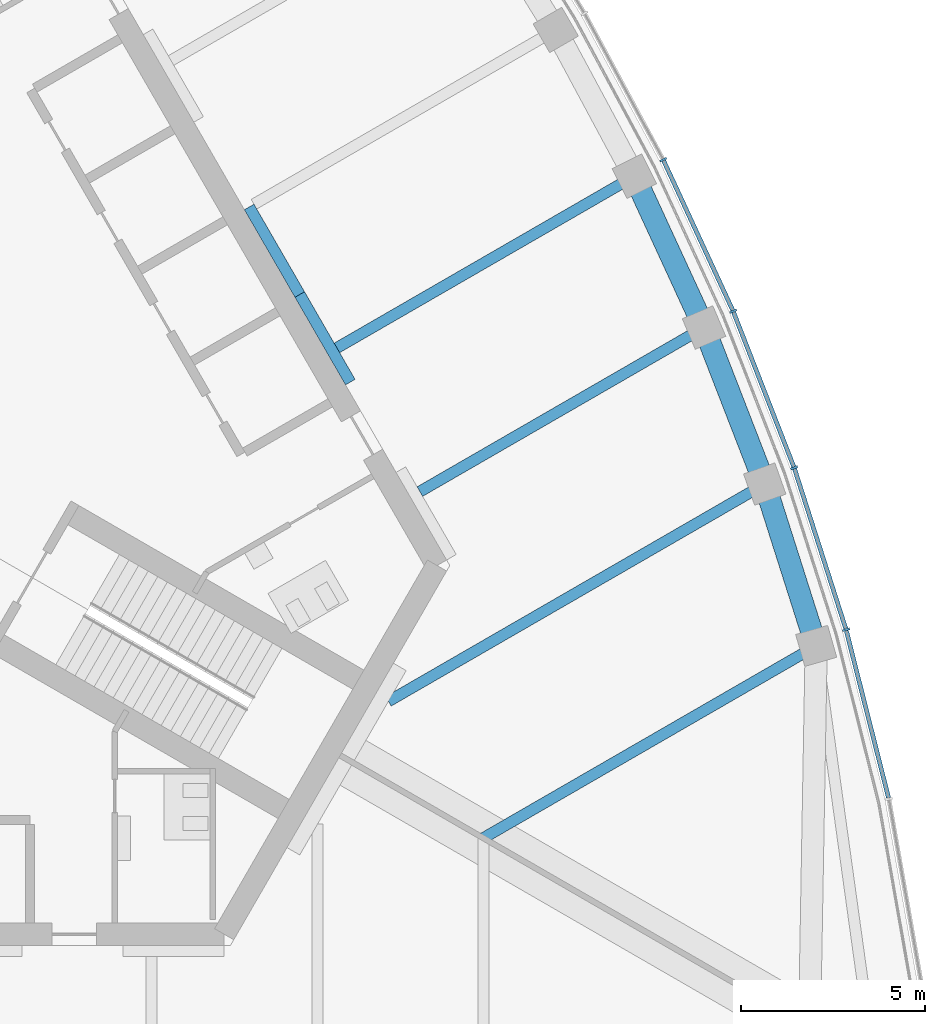
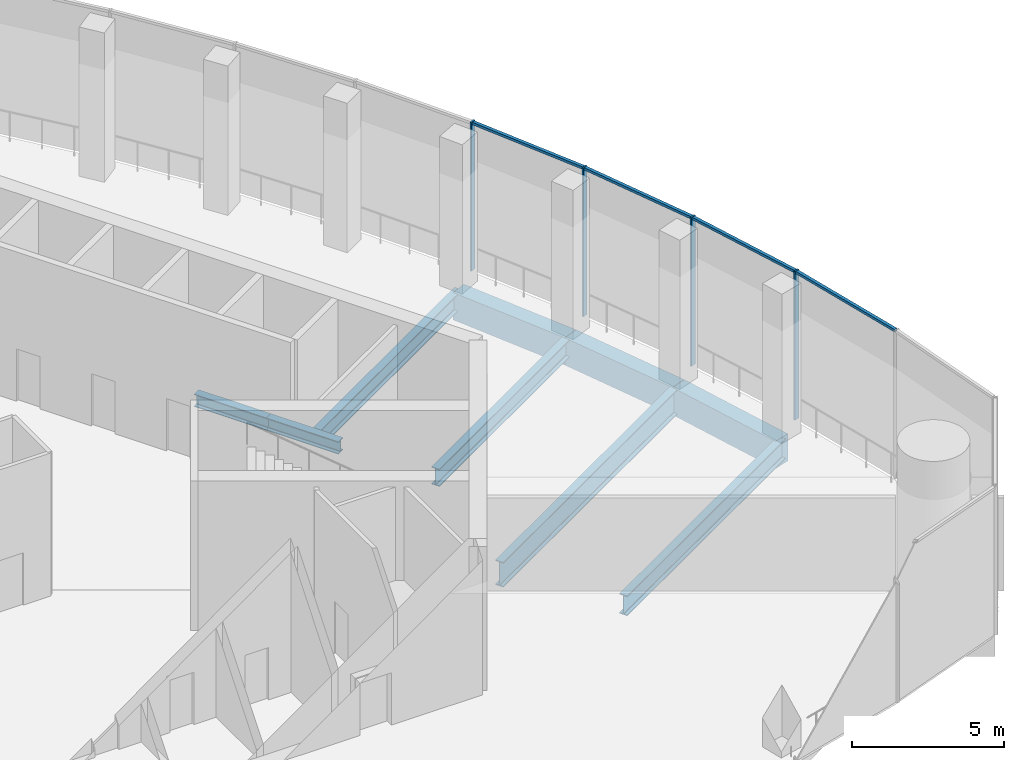
# One storey, part 5 of 15: 9 beams, 8 members, 1 element without a shape of its own.
"""IFC4 building model written with IfcOpenShell, lengths in metres."""

from ifc_helpers import new_model, si_unit, direction, frame, origin, origin_2d, place, context, subcontext, project, spatial, rectangle, i_section, extrude, material, material_profile, profile_set, type_object, element, aggregate, save


model = new_model("IFC4")

# Units and contexts
model_context = context("Model", 3, precision=1e-05, world=origin(), true_north=direction((0.0, 1.0)))
body_context = subcontext(model_context, "Body", "Model", "MODEL_VIEW")
ifc_project = project(units=[si_unit("LENGTHUNIT", "METRE"), si_unit("AREAUNIT", "SQUARE_METRE"), si_unit("VOLUMEUNIT", "CUBIC_METRE"), si_unit("PLANEANGLEUNIT", "RADIAN"), si_unit("MASSUNIT", "GRAM", prefix="KILO")], contexts=[model_context])

# Site, building, storey
site_placement = place(None, origin())
site = spatial("IfcSite", under=ifc_project, at=site_placement, CompositionType="ELEMENT")
building_placement = place(site_placement, origin())
building = spatial("IfcBuilding", under=site, at=building_placement, Name="Trefoil Bronze Tower", CompositionType="ELEMENT")
storey_placement = place(building_placement, frame((0.0, 0.0, 322.5)))
storey = spatial("IfcBuildingStorey", under=building, at=storey_placement, Name="L74", CompositionType="ELEMENT", Elevation=322.5)

# Curtain wall, members
ifc_material_1 = material(Name="Tinted solar-control glass", Category="glass")
curtain_wall_type = type_object("IfcCurtainWallType", Name="Bronze observation curtain wall", PredefinedType="USERDEFINED", material=ifc_material_1)
curtain_wall_placement = place(storey_placement, origin())
curtain_wall = element("IfcCurtainWall", 1, at=curtain_wall_placement, inside=storey, type_object=curtain_wall_type, Name="CW-E L74 F2", ObjectType="CURTAIN WALL", PredefinedType="USERDEFINED")
ifc_material_2 = material(Name="Bronze-finish aluminium", Category="aluminium")
ifc_material_profile_1 = material_profile(ifc_material_2, rectangle(XDim=0.199951171875, YDim=0.06005859375, at=origin_2d()), Name="CW-E mullion")
ifc_profile_set_1 = profile_set([ifc_material_profile_1], Name="Bronze-finish aluminium")
member_type_1 = type_object("IfcMemberType", Name="Bronze observation curtain wall mullion", PredefinedType="MULLION", material=ifc_profile_set_1)
member_1_placement = place(storey_placement, frame((27.837646484375, -4.740478515625, 0.0), z_axis=(0.0, 0.0, 1.0), x_axis=(-0.961395843746, -0.275169096426, 0.0)))
member_1 = element("IfcMember", 2, at=member_1_placement, type_object=member_type_1, Name="CW-E L74 F2 mullion 2", PredefinedType="MULLION", context=body_context, shape_type="SweptSolid", body=[
    extrude(rectangle(XDim=0.199951171875, YDim=0.06005859375, at=origin_2d()), origin(), (0.0, 0.0, 1.0), 5.97998046875),
])
member_2_placement = place(storey_placement, frame((26.430419921875, -0.349853515625, 0.0), z_axis=(0.0, 0.0, 1.0), x_axis=(-0.942448408407, -0.334351607581, 0.0)))
member_2 = element("IfcMember", 3, at=member_2_placement, type_object=member_type_1, Name="CW-E L74 F2 mullion 3", PredefinedType="MULLION", context=body_context, shape_type="SweptSolid", body=[
    extrude(rectangle(XDim=0.199951171875, YDim=0.06005859375, at=origin_2d()), origin(), (0.0, 0.0, 1.0), 5.97998046875),
])
member_3_placement = place(storey_placement, frame((24.77490234375, 3.8974609375, 0.0), z_axis=(0.0, 0.0, 1.0), x_axis=(-0.920205407004, -0.391435829888, 0.0)))
member_3 = element("IfcMember", 4, at=member_3_placement, type_object=member_type_1, Name="CW-E L74 F2 mullion 4", PredefinedType="MULLION", context=body_context, shape_type="SweptSolid", body=[
    extrude(rectangle(XDim=0.199951171875, YDim=0.06005859375, at=origin_2d()), origin(), (0.0, 0.0, 1.0), 5.97998046875),
])
member_4_placement = place(storey_placement, frame((22.877685546875, 8.005126953125, 0.0), z_axis=(0.0, 0.0, 1.0), x_axis=(-0.894713198289, -0.44664112306, 0.0)))
member_4 = element("IfcMember", 5, at=member_4_placement, type_object=member_type_1, Name="CW-E L74 F2 mullion 5", PredefinedType="MULLION", context=body_context, shape_type="SweptSolid", body=[
    extrude(rectangle(XDim=0.199951171875, YDim=0.06005859375, at=origin_2d()), origin(), (0.0, 0.0, 1.0), 5.97998046875),
])
ifc_material_3 = material(Name="Bronze-finish aluminium", Category="aluminium")
ifc_material_profile_2 = material_profile(ifc_material_3, rectangle(XDim=0.1201171875, YDim=0.10009765625, at=origin_2d()), Name="CW-E transom")
ifc_profile_set_2 = profile_set([ifc_material_profile_2], Name="Bronze-finish aluminium")
member_type_2 = type_object("IfcMemberType", Name="Bronze observation curtain wall transom", PredefinedType="USERDEFINED", material=ifc_profile_set_2)
member_5_placement = place(storey_placement, frame((28.98876953125, -9.298095703125, 5.929931640625), z_axis=(-0.244897917875, 0.969548869228, 0.0), x_axis=(-0.969548869228, -0.244897917875, 0.0)))
member_5 = element("IfcMember", 6, at=member_5_placement, type_object=member_type_2, Name="CW-E L74 F2 transom 1", ObjectType="TRANSOM", PredefinedType="USERDEFINED", context=body_context, shape_type="SweptSolid", body=[
    extrude(rectangle(XDim=0.1201171875, YDim=0.10009765625, at=origin_2d()), origin(), (0.0, 0.0, 1.0), 4.66748046875),
])
member_6_placement = place(storey_placement, frame((27.82763671875, -4.708984375, 5.929931640625), z_axis=(-0.305198695133, 0.952288693879, 0.0), x_axis=(-0.952288693879, -0.305198695133, 0.0)))
member_6 = element("IfcMember", 7, at=member_6_placement, type_object=member_type_2, Name="CW-E L74 F2 transom 2", ObjectType="TRANSOM", PredefinedType="USERDEFINED", context=body_context, shape_type="SweptSolid", body=[
    extrude(rectangle(XDim=0.1201171875, YDim=0.10009765625, at=origin_2d()), origin(), (0.0, 0.0, 1.0), 4.54443359375),
])
member_7_placement = place(storey_placement, frame((26.41845703125, -0.31884765625, 5.929931640625), z_axis=(-0.363196209907, 0.931712677336, 0.0), x_axis=(-0.931712677336, -0.363196209907, 0.0)))
member_7 = element("IfcMember", 8, at=member_7_placement, type_object=member_type_2, Name="CW-E L74 F2 transom 3", ObjectType="TRANSOM", PredefinedType="USERDEFINED", context=body_context, shape_type="SweptSolid", body=[
    extrude(rectangle(XDim=0.1201171875, YDim=0.10009765625, at=origin_2d()), origin(), (0.0, 0.0, 1.0), 4.492431640625),
])
member_8_placement = place(storey_placement, frame((24.760986328125, 3.927490234375, 5.929931640625), z_axis=(-0.419315109343, 0.907840756453, 0.0), x_axis=(-0.907840756453, -0.419315109343, 0.0)))
member_8 = element("IfcMember", 9, at=member_8_placement, type_object=member_type_2, Name="CW-E L74 F2 transom 4", ObjectType="TRANSOM", PredefinedType="USERDEFINED", context=body_context, shape_type="SweptSolid", body=[
    extrude(rectangle(XDim=0.1201171875, YDim=0.10009765625, at=origin_2d()), origin(), (0.0, 0.0, 1.0), 4.458740234375),
])
aggregate(curtain_wall, [member_1, member_2, member_3, member_4, member_5, member_6, member_7, member_8])

# Beams
ifc_material_4 = material(Name="Steel C355", Category="steel")
ifc_material_profile_3 = material_profile(ifc_material_4, i_section(OverallWidth=0.300048828125, OverallDepth=0.5, WebThickness=0.014404296875, FlangeThickness=0.028076171875, FilletRadius=0.027099609375, at=origin_2d()), Name="HEB 500")
ifc_profile_set_3 = profile_set([ifc_material_profile_3], Name="Steel C355")
beam_type_1 = type_object("IfcBeamType", Name="Core seat beam HEB 500", PredefinedType="BEAM", material=ifc_profile_set_3)
for number, where, z_axis, x_axis, name in (
    (10, (14.390380859375, 1.97509765625, -0.449951171875), (-0.499969057507, 0.866043267704, 0.0), (-0.866043267704, -0.499969057507, 0.0), "Core seat beam F2/-1 L74"),
    (11, (13.019287109375, 4.35009765625, -0.449951171875), (-0.500035825175, 0.866004719122, 0.0), (-0.866004719122, -0.500035825175, 0.0), "Core seat beam F2/+0 L74"),
):
    element("IfcBeam", number, at=place(storey_placement, frame(where, z_axis=z_axis, x_axis=x_axis)), inside=storey, type_object=beam_type_1, Name=name, PredefinedType="BEAM", context=body_context, shape_type="SweptSolid", body=[
        extrude(i_section(OverallWidth=0.300048828125, OverallDepth=0.5, WebThickness=0.014404296875, FlangeThickness=0.028076171875, FilletRadius=0.027099609375, at=origin_2d()), origin(), (0.0, 0.0, 1.0), 2.742431640625),
    ])
ifc_material_5 = material(Name="Steel C355", Category="steel")
ifc_material_profile_4 = material_profile(ifc_material_5, i_section(OverallWidth=0.300048828125, OverallDepth=1.0, WebThickness=0.01904296875, FlangeThickness=0.035888671875, FilletRadius=0.030029296875, at=origin_2d()), Name="HEB 1000")
ifc_profile_set_4 = profile_set([ifc_material_profile_4], Name="Steel C355")
beam_type_2 = type_object("IfcBeamType", Name="Floor beam HEB 1000", PredefinedType="BEAM", material=ifc_profile_set_4)
beam_1_placement = place(storey_placement, frame((25.631591796875, -0.7900390625, -0.699951171875), z_axis=(-0.866026552003, -0.499998011222, 0.0), x_axis=(0.499998011222, -0.866026552003, 0.0)))
element("IfcBeam", 12, at=beam_1_placement, inside=storey, type_object=beam_type_2, Name="Floor beam F2/-3 L74", PredefinedType="BEAM", context=body_context, shape_type="SweptSolid", body=[
    extrude(i_section(OverallWidth=0.300048828125, OverallDepth=1.0, WebThickness=0.01904296875, FlangeThickness=0.035888671875, FilletRadius=0.030029296875, at=origin_2d()), origin(), (0.0, 0.0, 1.0), 11.78515625),
])
ifc_material_6 = material(Name="Steel C355", Category="steel")
ifc_material_profile_5 = material_profile(ifc_material_6, i_section(OverallWidth=0.300048828125, OverallDepth=0.699951171875, WebThickness=0.01708984375, FlangeThickness=0.031982421875, FilletRadius=0.027099609375, at=origin_2d()), Name="HEB 700")
ifc_profile_set_5 = profile_set([ifc_material_profile_5], Name="Steel C355")
beam_type_3 = type_object("IfcBeamType", Name="Floor beam HEB 700", PredefinedType="BEAM", material=ifc_profile_set_5)
beam_2_placement = place(storey_placement, frame((23.98486328125, 3.455322265625, -0.550048828125), z_axis=(-0.866034827411, -0.499983677445, 0.0), x_axis=(0.499983677445, -0.866034827411, 0.0)))
element("IfcBeam", 13, at=beam_2_placement, inside=storey, type_object=beam_type_3, Name="Floor beam F2/-2 L74", PredefinedType="BEAM", context=body_context, shape_type="SweptSolid", body=[
    extrude(i_section(OverallWidth=0.300048828125, OverallDepth=0.699951171875, WebThickness=0.01708984375, FlangeThickness=0.031982421875, FilletRadius=0.027099609375, at=origin_2d()), origin(), (0.0, 0.0, 1.0), 8.899169921875),
])
beam_3_placement = place(storey_placement, frame((22.093994140625, 7.559814453125, -0.550048828125), z_axis=(-0.866026261222, -0.499998514871, 0.0), x_axis=(0.499998514871, -0.866026261222, 0.0)))
element("IfcBeam", 14, at=beam_3_placement, inside=storey, type_object=beam_type_3, Name="Floor beam F2/-1 L74", PredefinedType="BEAM", context=body_context, shape_type="SweptSolid", body=[
    extrude(i_section(OverallWidth=0.300048828125, OverallDepth=0.699951171875, WebThickness=0.01708984375, FlangeThickness=0.031982421875, FilletRadius=0.027099609375, at=origin_2d()), origin(), (0.0, 0.0, 1.0), 9.31396484375),
])
ifc_material_7 = material(Name="Steel C355", Category="steel")
ifc_material_profile_6 = material_profile(ifc_material_7, i_section(OverallWidth=0.300048828125, OverallDepth=0.800048828125, WebThickness=0.017578125, FlangeThickness=0.032958984375, FilletRadius=0.030029296875, at=origin_2d()), Name="HEB 800")
ifc_profile_set_6 = profile_set([ifc_material_profile_6], Name="Steel C355")
beam_type_4 = type_object("IfcBeamType", Name="Floor beam HEB 800", PredefinedType="BEAM", material=ifc_profile_set_6)
beam_4_placement = place(storey_placement, frame((27.02734375, -5.180419921875, -0.60009765625), z_axis=(-0.866026453994, -0.499998180979, 0.0), x_axis=(0.499998180979, -0.866026453994, 0.0)))
element("IfcBeam", 15, at=beam_4_placement, inside=storey, type_object=beam_type_4, Name="Floor beam F2/-4 L74", PredefinedType="BEAM", context=body_context, shape_type="SweptSolid", body=[
    extrude(i_section(OverallWidth=0.300048828125, OverallDepth=0.800048828125, WebThickness=0.017578125, FlangeThickness=0.032958984375, FilletRadius=0.030029296875, at=origin_2d()), origin(), (0.0, 0.0, 1.0), 10.423828125),
])
ifc_material_8 = material(Name="Concrete B80", Category="concrete")
ifc_material_profile_7 = material_profile(ifc_material_8, rectangle(XDim=0.60009765625, YDim=1.10009765625, at=origin_2d()), Name="RC 600x1100")
ifc_profile_set_7 = profile_set([ifc_material_profile_7], Name="Concrete B80")
beam_type_5 = type_object("IfcBeamType", Name="Spandrel beam RC 600x1100", PredefinedType="SPANDREL", material=ifc_profile_set_7)
beam_5_placement = place(storey_placement, frame((27.02734375, -5.180419921875, -0.75), z_axis=(-0.302969597344, 0.953000221975, 0.0), x_axis=(-0.953000221975, -0.302969597344, 0.0)))
element("IfcBeam", 16, at=beam_5_placement, inside=storey, type_object=beam_type_5, Name="Spandrel F2.2 L74", PredefinedType="SPANDREL", context=body_context, shape_type="SweptSolid", body=[
    extrude(rectangle(XDim=0.60009765625, YDim=1.10009765625, at=origin_2d()), origin(), (0.0, 0.0, 1.0), 4.60693359375),
])
beam_6_placement = place(storey_placement, frame((25.631591796875, -0.7900390625, -0.75), z_axis=(-0.361636286502, 0.932319256631, 0.0), x_axis=(-0.932319256631, -0.361636286502, 0.0)))
element("IfcBeam", 17, at=beam_6_placement, inside=storey, type_object=beam_type_5, Name="Spandrel F2.3 L74", PredefinedType="SPANDREL", context=body_context, shape_type="SweptSolid", body=[
    extrude(rectangle(XDim=0.60009765625, YDim=1.10009765625, at=origin_2d()), origin(), (0.0, 0.0, 1.0), 4.553466796875),
])
beam_7_placement = place(storey_placement, frame((23.98486328125, 3.455322265625, -0.75), z_axis=(-0.418417425199, 0.90825484215, 0.0), x_axis=(-0.90825484215, -0.418417425199, 0.0)))
element("IfcBeam", 18, at=beam_7_placement, inside=storey, type_object=beam_type_5, Name="Spandrel F2.4 L74", PredefinedType="SPANDREL", context=body_context, shape_type="SweptSolid", body=[
    extrude(rectangle(XDim=0.60009765625, YDim=1.10009765625, at=origin_2d()), origin(), (0.0, 0.0, 1.0), 4.51904296875),
])

save(model, "model.ifc")
